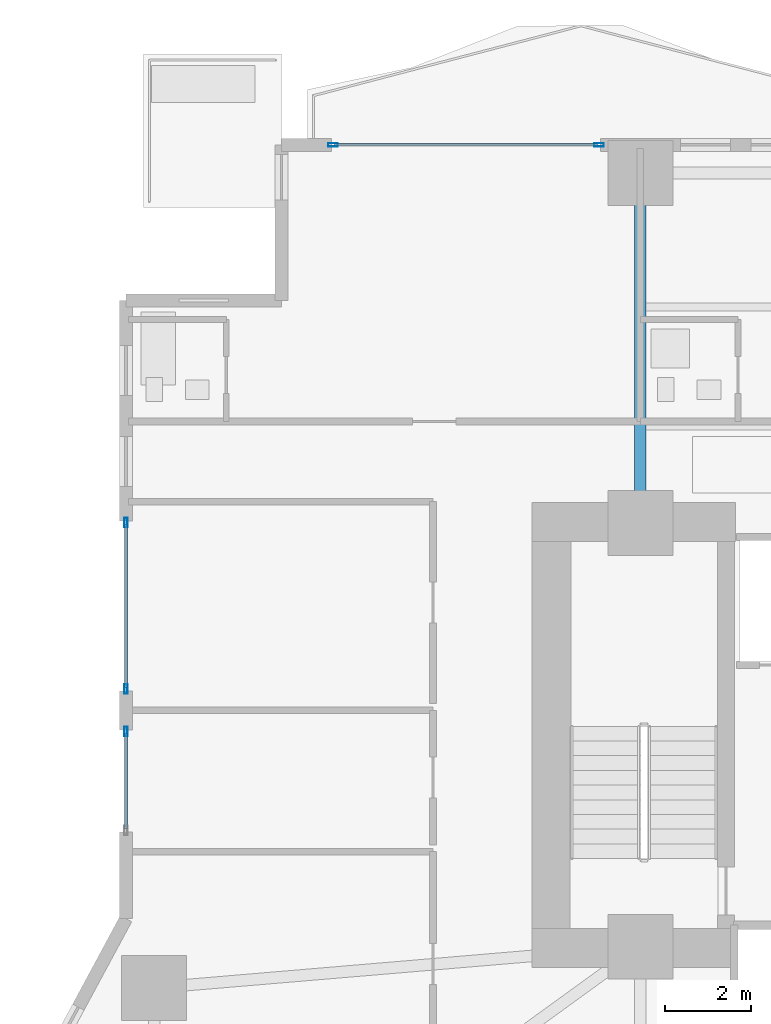
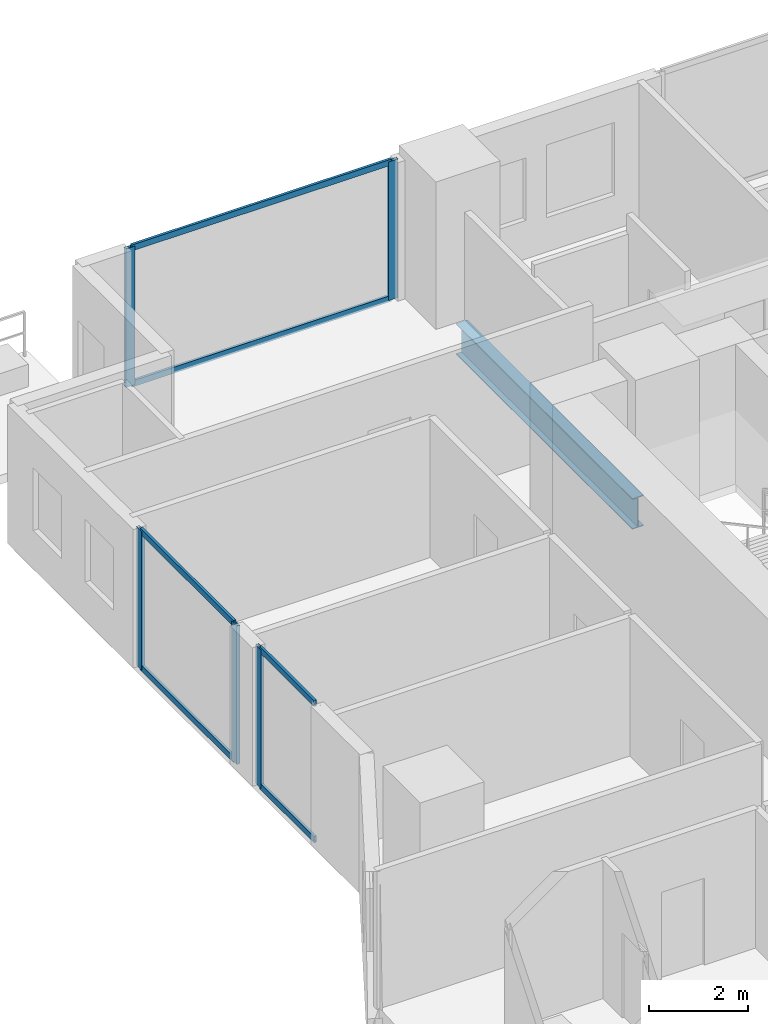
# One storey, part 13 of 29: 11 members, 1 beam, 3 elements without a shape of their own.
"""IFC4 building model written with IfcOpenShell, lengths in metres."""

from ifc_helpers import new_model, si_unit, direction, frame, origin, origin_2d, place, context, subcontext, project, spatial, hollow_rectangle, i_section, extrude, material, layer, layer_set, material_profile, profile_set, type_object, element, aggregate, save


model = new_model("IFC4")

# Units and contexts
model_context = context("Model", 3, precision=1e-05, world=origin(), true_north=direction((0.0, 1.0)))
body_context = subcontext(model_context, "Body", "Model", "MODEL_VIEW")
ifc_project = project(units=[si_unit("LENGTHUNIT", "METRE"), si_unit("AREAUNIT", "SQUARE_METRE"), si_unit("VOLUMEUNIT", "CUBIC_METRE"), si_unit("PLANEANGLEUNIT", "RADIAN"), si_unit("MASSUNIT", "GRAM", prefix="KILO")], contexts=[model_context])

# Site, building, storey
site_placement = place(None, origin())
site = spatial("IfcSite", under=ifc_project, at=site_placement, CompositionType="ELEMENT")
building_placement = place(site_placement, origin())
building = spatial("IfcBuilding", under=site, at=building_placement, Name="Zuhayl Quay Hotel", CompositionType="ELEMENT")
storey_placement = place(building_placement, frame((0.0, 0.0, 67.75)))
storey = spatial("IfcBuildingStorey", under=building, at=storey_placement, Name="L16", CompositionType="ELEMENT", Elevation=67.75)

# Beam
ifc_material_1 = material(Name="Steel ASTM A992 Grade 50", Category="steel")
ifc_material_profile_1 = material_profile(ifc_material_1, i_section(OverallWidth=0.26708984375, OverallDepth=0.761962890625, WebThickness=0.014404296875, FlangeThickness=0.021484375, at=origin_2d()), Name="W30X116")
ifc_profile_set_1 = profile_set([ifc_material_profile_1], Name="Steel ASTM A992 Grade 50")
beam_type = type_object("IfcBeamType", Name="BM_B1_W30X116", PredefinedType="BEAM", material=ifc_profile_set_1)
beam_placement = place(storey_placement, frame((-13.800048828125, 14.800048828125, -0.60107421875), z_axis=(0.0, 1.0, 0.0), x_axis=(-1.0, 0.0, 0.0)))
element("IfcBeam", 1, at=beam_placement, inside=storey, type_object=beam_type, Name="L16 Floor Beam FG_N_L16_1", PredefinedType="BEAM", context=body_context, shape_type="SweptSolid", body=[
    extrude(i_section(OverallWidth=0.26708984375, OverallDepth=0.761962890625, WebThickness=0.014404296875, FlangeThickness=0.021484375, at=origin_2d()), origin(), (0.0, 0.0, 1.0), 7.14990234375),
])

# Curtain wall, member
ifc_material_2 = material(Name="Anodised Aluminium 6063-T6", Category="aluminium")
ifc_layer = layer(ifc_material_2, 0.18994140625, Name="Anodised Aluminium 6063-T6", Category="aluminium")
ifc_layer_set = layer_set([ifc_layer], Name="Anodised Aluminium 6063-T6")
curtain_wall_type = type_object("IfcCurtainWallType", Name="CW_SYS_Z1", PredefinedType="USERDEFINED", material=ifc_layer_set)
curtain_wall_1_placement = place(storey_placement, origin())
curtain_wall_1 = element("IfcCurtainWall", 2, at=curtain_wall_1_placement, inside=storey, type_object=curtain_wall_type, Name="L16 Curtain Wall ENV_L16_E05_CW1", ObjectType="UNITISED CURTAIN WALL", PredefinedType="USERDEFINED")
ifc_material_3 = material(Name="Black-anodised aluminium 6063-T6", Category="aluminium")
ifc_material_profile_2 = material_profile(ifc_material_3, hollow_rectangle(XDim=0.074951171875, YDim=0.219970703125, WallThickness=0.00390625, at=origin_2d()), Name="ALU220X75")
ifc_profile_set_2 = profile_set([ifc_material_profile_2], Name="Black-anodised aluminium 6063-T6")
member_type_1 = type_object("IfcMemberType", Name="MB_CW_MUL_220", PredefinedType="MULLION", material=ifc_profile_set_2)
member_1_placement = place(storey_placement, frame((-25.699951171875, 9.532470703125, 0.0), z_axis=(0.0, 0.0, 1.0), x_axis=(-1.0, 0.0, 0.0)))
member_1 = element("IfcMember", 3, at=member_1_placement, type_object=member_type_1, Name="CW-Z1 mullion 2", PredefinedType="MULLION", context=body_context, shape_type="SweptSolid", body=[
    extrude(hollow_rectangle(XDim=0.074951171875, YDim=0.219970703125, WallThickness=0.00390625, at=origin_2d()), origin(), (0.0, 0.0, 1.0), 3.429931640625),
])

# Curtain wall, members
curtain_wall_2_placement = place(storey_placement, origin())
curtain_wall_2 = element("IfcCurtainWall", 4, at=curtain_wall_2_placement, inside=storey, type_object=curtain_wall_type, Name="L16 Curtain Wall ENV_L16_E05_CW2", ObjectType="UNITISED CURTAIN WALL", PredefinedType="USERDEFINED")
member_2_placement = place(storey_placement, frame((-25.699951171875, 10.507568359375, 0.0), z_axis=(0.0, 0.0, 1.0), x_axis=(-1.0, 0.0, 0.0)))
member_2 = element("IfcMember", 5, at=member_2_placement, type_object=member_type_1, Name="CW-Z1 mullion 1", PredefinedType="MULLION", context=body_context, shape_type="SweptSolid", body=[
    extrude(hollow_rectangle(XDim=0.074951171875, YDim=0.219970703125, WallThickness=0.00390625, at=origin_2d()), origin(), (0.0, 0.0, 1.0), 3.429931640625),
])
member_3_placement = place(storey_placement, frame((-25.699951171875, 14.362548828125, 0.0), z_axis=(0.0, 0.0, 1.0), x_axis=(-1.0, 0.0, 0.0)))
member_3 = element("IfcMember", 6, at=member_3_placement, type_object=member_type_1, Name="CW-Z1 mullion 2", PredefinedType="MULLION", context=body_context, shape_type="SweptSolid", body=[
    extrude(hollow_rectangle(XDim=0.074951171875, YDim=0.219970703125, WallThickness=0.00390625, at=origin_2d()), origin(), (0.0, 0.0, 1.0), 3.429931640625),
])

curtain_wall_3_placement = place(storey_placement, origin())
curtain_wall_3 = element("IfcCurtainWall", 7, at=curtain_wall_3_placement, inside=storey, type_object=curtain_wall_type, Name="L16 Curtain Wall ENV_L16_N_CW1", ObjectType="UNITISED CURTAIN WALL", PredefinedType="USERDEFINED")
member_4_placement = place(storey_placement, frame((-20.91259765625, 23.10009765625, 0.0), z_axis=(0.0, 0.0, 1.0), x_axis=(0.0, 1.0, 0.0)))
member_4 = element("IfcMember", 8, at=member_4_placement, type_object=member_type_1, Name="CW-Z1 mullion 1", PredefinedType="MULLION", context=body_context, shape_type="SweptSolid", body=[
    extrude(hollow_rectangle(XDim=0.074951171875, YDim=0.219970703125, WallThickness=0.00390625, at=origin_2d()), origin(), (0.0, 0.0, 1.0), 3.429931640625),
])
member_5_placement = place(storey_placement, frame((-14.757568359375, 23.10009765625, 0.0), z_axis=(0.0, 0.0, 1.0), x_axis=(0.0, 1.0, 0.0)))
member_5 = element("IfcMember", 9, at=member_5_placement, type_object=member_type_1, Name="CW-Z1 mullion 2", PredefinedType="MULLION", context=body_context, shape_type="SweptSolid", body=[
    extrude(hollow_rectangle(XDim=0.074951171875, YDim=0.219970703125, WallThickness=0.00390625, at=origin_2d()), origin(), (0.0, 0.0, 1.0), 3.429931640625),
])

# Member
ifc_material_profile_3 = material_profile(ifc_material_3, hollow_rectangle(XDim=0.06005859375, YDim=0.14990234375, WallThickness=0.00341796875, at=origin_2d()), Name="ALU150X60")
ifc_profile_set_3 = profile_set([ifc_material_profile_3], Name="Black-anodised aluminium 6063-T6")
member_type_2 = type_object("IfcMemberType", Name="MB_CW_TRN_150", PredefinedType="USERDEFINED", material=ifc_profile_set_3)
member_6_placement = place(storey_placement, frame((-25.699951171875, 7.27490234375, 0.030029296875), z_axis=(0.0, 1.0, 0.0), x_axis=(-1.0, 0.0, 0.0)))
member_6 = element("IfcMember", 10, at=member_6_placement, type_object=member_type_2, Name="CW-Z1 transom 1.1", ObjectType="TRANSOM", PredefinedType="USERDEFINED", context=body_context, shape_type="SweptSolid", body=[
    extrude(hollow_rectangle(XDim=0.06005859375, YDim=0.14990234375, WallThickness=0.00341796875, at=origin_2d()), origin(), (0.0, 0.0, 1.0), 2.22021484375),
])

member_7_placement = place(storey_placement, frame((-25.699951171875, 7.27490234375, 3.39990234375), z_axis=(0.0, 1.0, 0.0), x_axis=(-1.0, 0.0, 0.0)))
member_7 = element("IfcMember", 11, at=member_7_placement, type_object=member_type_2, Name="CW-Z1 transom 1.2", ObjectType="TRANSOM", PredefinedType="USERDEFINED", context=body_context, shape_type="SweptSolid", body=[
    extrude(hollow_rectangle(XDim=0.06005859375, YDim=0.14990234375, WallThickness=0.00341796875, at=origin_2d()), origin(), (0.0, 0.0, 1.0), 2.22021484375),
])

aggregate(curtain_wall_1, [member_1, member_6, member_7])

member_8_placement = place(storey_placement, frame((-25.699951171875, 10.544921875, 0.030029296875), z_axis=(0.0, 1.0, 0.0), x_axis=(-1.0, 0.0, 0.0)))
member_8 = element("IfcMember", 12, at=member_8_placement, type_object=member_type_2, Name="CW-Z1 transom 1.1", ObjectType="TRANSOM", PredefinedType="USERDEFINED", context=body_context, shape_type="SweptSolid", body=[
    extrude(hollow_rectangle(XDim=0.06005859375, YDim=0.14990234375, WallThickness=0.00341796875, at=origin_2d()), origin(), (0.0, 0.0, 1.0), 3.780029296875),
])

member_9_placement = place(storey_placement, frame((-25.699951171875, 10.544921875, 3.39990234375), z_axis=(0.0, 1.0, 0.0), x_axis=(-1.0, 0.0, 0.0)))
member_9 = element("IfcMember", 13, at=member_9_placement, type_object=member_type_2, Name="CW-Z1 transom 1.2", ObjectType="TRANSOM", PredefinedType="USERDEFINED", context=body_context, shape_type="SweptSolid", body=[
    extrude(hollow_rectangle(XDim=0.06005859375, YDim=0.14990234375, WallThickness=0.00341796875, at=origin_2d()), origin(), (0.0, 0.0, 1.0), 3.780029296875),
])

aggregate(curtain_wall_2, [member_2, member_3, member_8, member_9])

member_10_placement = place(storey_placement, frame((-20.875, 23.10009765625, 0.030029296875), z_axis=(1.0, 0.0, 0.0), x_axis=(0.0, 1.0, 0.0)))
member_10 = element("IfcMember", 14, at=member_10_placement, type_object=member_type_2, Name="CW-Z1 transom 1.1", ObjectType="TRANSOM", PredefinedType="USERDEFINED", context=body_context, shape_type="SweptSolid", body=[
    extrude(hollow_rectangle(XDim=0.06005859375, YDim=0.14990234375, WallThickness=0.00341796875, at=origin_2d()), origin(), (0.0, 0.0, 1.0), 6.080078125),
])

member_11_placement = place(storey_placement, frame((-20.875, 23.10009765625, 3.39990234375), z_axis=(1.0, 0.0, 0.0), x_axis=(0.0, 1.0, 0.0)))
member_11 = element("IfcMember", 15, at=member_11_placement, type_object=member_type_2, Name="CW-Z1 transom 1.2", ObjectType="TRANSOM", PredefinedType="USERDEFINED", context=body_context, shape_type="SweptSolid", body=[
    extrude(hollow_rectangle(XDim=0.06005859375, YDim=0.14990234375, WallThickness=0.00341796875, at=origin_2d()), origin(), (0.0, 0.0, 1.0), 6.080078125),
])

aggregate(curtain_wall_3, [member_4, member_5, member_10, member_11])

save(model, "model.ifc")
